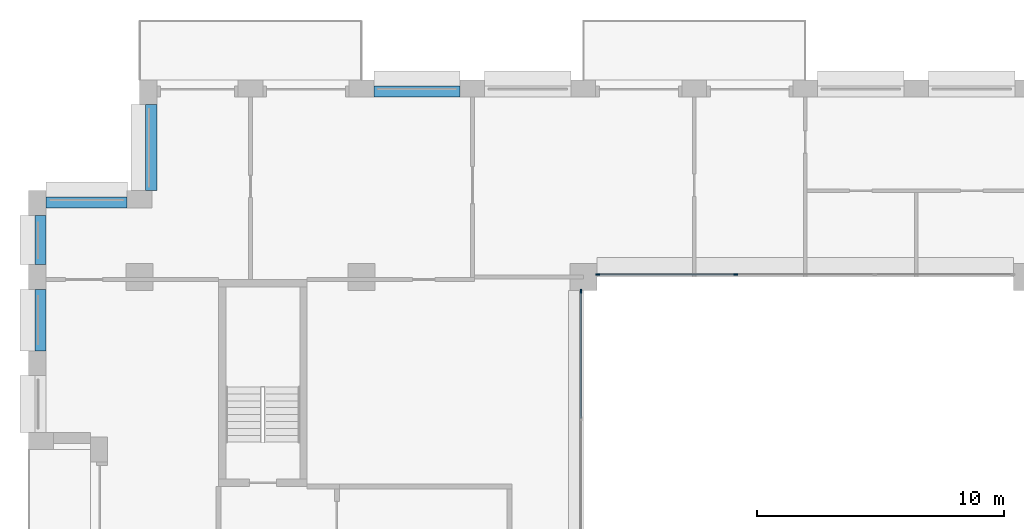
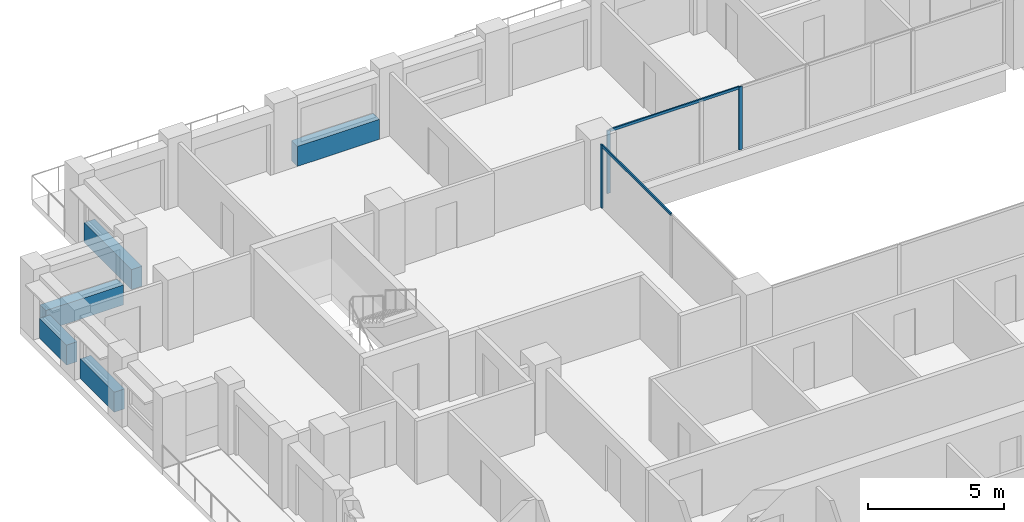
# One storey, part 5 of 15: 5 beams, 5 members, 2 elements without a shape of their own.
"""IFC4 building model written with IfcOpenShell, lengths in metres."""

from ifc_helpers import new_model, si_unit, direction, frame, origin, origin_2d, place, context, subcontext, project, spatial, rectangle, extrude, material, layer, layer_set, material_profile, profile_set, type_object, element, aggregate, save


model = new_model("IFC4")

# Units and contexts
model_context = context("Model", 3, precision=1e-05, world=origin(), true_north=direction((0.0, 1.0)))
body_context = subcontext(model_context, "Body", "Model", "MODEL_VIEW")
ifc_project = project(units=[si_unit("LENGTHUNIT", "METRE"), si_unit("AREAUNIT", "SQUARE_METRE"), si_unit("VOLUMEUNIT", "CUBIC_METRE"), si_unit("PLANEANGLEUNIT", "RADIAN"), si_unit("MASSUNIT", "GRAM", prefix="KILO")], contexts=[model_context])

# Site, building, storey
site_placement = place(None, origin())
site = spatial("IfcSite", under=ifc_project, at=site_placement, CompositionType="ELEMENT")
building_placement = place(site_placement, origin())
building = spatial("IfcBuilding", under=site, at=building_placement, Name="Brigalow Station Residences", CompositionType="ELEMENT")
storey_placement = place(building_placement, frame((0.0, 0.0, 175.949951171875)))
storey = spatial("IfcBuildingStorey", under=building, at=storey_placement, Name="L51", CompositionType="ELEMENT", Elevation=175.949951171875)

# Curtain wall, members
ifc_material_1 = material(Name="Aluminium", Category="aluminium")
ifc_layer = layer(ifc_material_1, 0.14990234375)
ifc_layer_set = layer_set([ifc_layer], Name="ATRIUM FIRE-RATED GLAZING CURTAIN WALL")
curtain_wall_type = type_object("IfcCurtainWallType", Name="ATRIUM FIRE-RATED GLAZING CURTAIN WALL", PredefinedType="NOTDEFINED", material=ifc_layer_set)
curtain_wall_1_placement = place(storey_placement, origin())
curtain_wall_1 = element("IfcCurtainWall", 1, at=curtain_wall_1_placement, inside=storey, type_object=curtain_wall_type, Name="L51/cw/atrium-N", PredefinedType="NOTDEFINED")
ifc_material_2 = material(Name="Aluminium", Category="aluminium")
ifc_material_profile_1 = material_profile(ifc_material_2, rectangle(XDim=0.06005859375, YDim=0.14990234375, at=origin_2d()), Name="ATRIUM FIRE-RATED GLAZING MULLION 60x150")
ifc_profile_set_1 = profile_set([ifc_material_profile_1], Name="Aluminium")
member_type_1 = type_object("IfcMemberType", Name="ATRIUM FIRE-RATED GLAZING MULLION 60x150", PredefinedType="MULLION", material=ifc_profile_set_1)
member_1_placement = place(storey_placement, frame((33.183349609375, 35.60009765625, 0.0), z_axis=(0.0, 0.0, 1.0), x_axis=(0.0, -1.0, 0.0)))
member_1 = element("IfcMember", 2, at=member_1_placement, type_object=member_type_1, Name="L51/cw/atrium-N/M02", PredefinedType="MULLION", context=body_context, shape_type="SweptSolid", body=[
    extrude(rectangle(XDim=0.06005859375, YDim=0.14990234375, at=origin_2d()), origin(), (0.0, 0.0, 1.0), 2.830078125),
])
member_2_placement = place(storey_placement, frame((27.580078125, 35.60009765625, 0.0), z_axis=(0.0, 0.0, 1.0), x_axis=(0.0, -1.0, 0.0)))
member_2 = element("IfcMember", 3, at=member_2_placement, type_object=member_type_1, Name="L51/cw/atrium-N/M03", PredefinedType="MULLION", context=body_context, shape_type="SweptSolid", body=[
    extrude(rectangle(XDim=0.06005859375, YDim=0.14990234375, at=origin_2d()), origin(), (0.0, 0.0, 1.0), 2.830078125),
])

# Curtain wall, member
curtain_wall_2_placement = place(storey_placement, origin())
curtain_wall_2 = element("IfcCurtainWall", 4, at=curtain_wall_2_placement, inside=storey, type_object=curtain_wall_type, Name="L51/cw/atrium-W", PredefinedType="NOTDEFINED")
member_3_placement = place(storey_placement, frame((26.89990234375, 34.919921875, 0.0), z_axis=(0.0, 0.0, 1.0), x_axis=(1.0, 0.0, 0.0)))
member_3 = element("IfcMember", 5, at=member_3_placement, type_object=member_type_1, Name="L51/cw/atrium-W/M00", PredefinedType="MULLION", context=body_context, shape_type="SweptSolid", body=[
    extrude(rectangle(XDim=0.06005859375, YDim=0.14990234375, at=origin_2d()), origin(), (0.0, 0.0, 1.0), 2.830078125),
])

# Member
ifc_material_3 = material(Name="Aluminium", Category="aluminium")
ifc_material_profile_2 = material_profile(ifc_material_3, rectangle(XDim=0.06005859375, YDim=0.1201171875, at=origin_2d()), Name="ATRIUM FIRE-RATED GLAZING TRANSOM 60x120")
ifc_profile_set_2 = profile_set([ifc_material_profile_2], Name="Aluminium")
member_type_2 = type_object("IfcMemberType", Name="ATRIUM FIRE-RATED GLAZING TRANSOM 60x120", PredefinedType="USERDEFINED", material=ifc_profile_set_2)
member_4_placement = place(storey_placement, frame((33.1533203125, 35.60009765625, 2.800048828125), z_axis=(-1.0, 0.0, 0.0), x_axis=(0.0, -1.0, 0.0)))
member_4 = element("IfcMember", 6, at=member_4_placement, type_object=member_type_2, Name="L51/cw/atrium-N/T02-00", ObjectType="TRANSOM", PredefinedType="USERDEFINED", context=body_context, shape_type="SweptSolid", body=[
    extrude(rectangle(XDim=0.06005859375, YDim=0.1201171875, at=origin_2d()), origin(), (0.0, 0.0, 1.0), 5.543212890625),
])

aggregate(curtain_wall_1, [member_1, member_2, member_4])

member_5_placement = place(storey_placement, frame((26.89990234375, 34.889892578125, 2.800048828125), z_axis=(0.0, -1.0, 0.0), x_axis=(1.0, 0.0, 0.0)))
member_5 = element("IfcMember", 7, at=member_5_placement, type_object=member_type_2, Name="L51/cw/atrium-W/T00-00", ObjectType="TRANSOM", PredefinedType="USERDEFINED", context=body_context, shape_type="SweptSolid", body=[
    extrude(rectangle(XDim=0.06005859375, YDim=0.1201171875, at=origin_2d()), origin(), (0.0, 0.0, 1.0), 5.10986328125),
])

aggregate(curtain_wall_2, [member_3, member_5])

# Beams
ifc_material_4 = material(Name="Concrete C50", Category="concrete")
ifc_material_profile_3 = material_profile(ifc_material_4, rectangle(XDim=0.449951171875, YDim=0.89990234375, at=origin_2d()), Name="RC450x900")
ifc_profile_set_3 = profile_set([ifc_material_profile_3], Name="Concrete C50")
beam_type = type_object("IfcBeamType", Name="SPANDREL BEAM 450x900 C50", PredefinedType="SPANDREL", material=ifc_profile_set_3)
for number, where, z_axis, x_axis, name in (
    (8, (22.0, 43.02490234375, 0.449951171875), (-1.0, 0.0, 0.0), (0.0, -1.0, 0.0), "L51/spandrel/W-L51-32"),
    (9, (9.47509765625, 42.5, 0.449951171875), (0.0, -1.0, 0.0), (1.0, 0.0, 0.0), "L51/spandrel/W-L51-35"),
):
    element("IfcBeam", number, at=place(storey_placement, frame(where, z_axis=z_axis, x_axis=x_axis)), inside=storey, type_object=beam_type, Name=name, PredefinedType="SPANDREL", context=body_context, shape_type="SweptSolid", body=[
        extrude(rectangle(XDim=0.449951171875, YDim=0.89990234375, at=origin_2d()), origin(), (0.0, 0.0, 1.0), 3.5),
    ])
beam_1_placement = place(storey_placement, frame((8.5, 38.52490234375, 0.449951171875), z_axis=(-1.0, 0.0, 0.0), x_axis=(0.0, -1.0, 0.0)))
element("IfcBeam", 10, at=beam_1_placement, inside=storey, type_object=beam_type, Name="L51/spandrel/W-L51-36", PredefinedType="SPANDREL", context=body_context, shape_type="SweptSolid", body=[
    extrude(rectangle(XDim=0.449951171875, YDim=0.89990234375, at=origin_2d()), origin(), (0.0, 0.0, 1.0), 3.300048828125),
])
beam_2_placement = place(storey_placement, frame((4.97509765625, 38.0, 0.449951171875), z_axis=(0.0, -1.0, 0.0), x_axis=(1.0, 0.0, 0.0)))
element("IfcBeam", 11, at=beam_2_placement, inside=storey, type_object=beam_type, Name="L51/spandrel/W-L51-37", PredefinedType="SPANDREL", context=body_context, shape_type="SweptSolid", body=[
    extrude(rectangle(XDim=0.449951171875, YDim=0.89990234375, at=origin_2d()), origin(), (0.0, 0.0, 1.0), 2.0),
])
beam_3_placement = place(storey_placement, frame((4.97509765625, 35.0, 0.449951171875), z_axis=(0.0, -1.0, 0.0), x_axis=(1.0, 0.0, 0.0)))
element("IfcBeam", 12, at=beam_3_placement, inside=storey, type_object=beam_type, Name="L51/spandrel/W-L51-38", PredefinedType="SPANDREL", context=body_context, shape_type="SweptSolid", body=[
    extrude(rectangle(XDim=0.449951171875, YDim=0.89990234375, at=origin_2d()), origin(), (0.0, 0.0, 1.0), 2.5),
])

save(model, "model.ifc")
